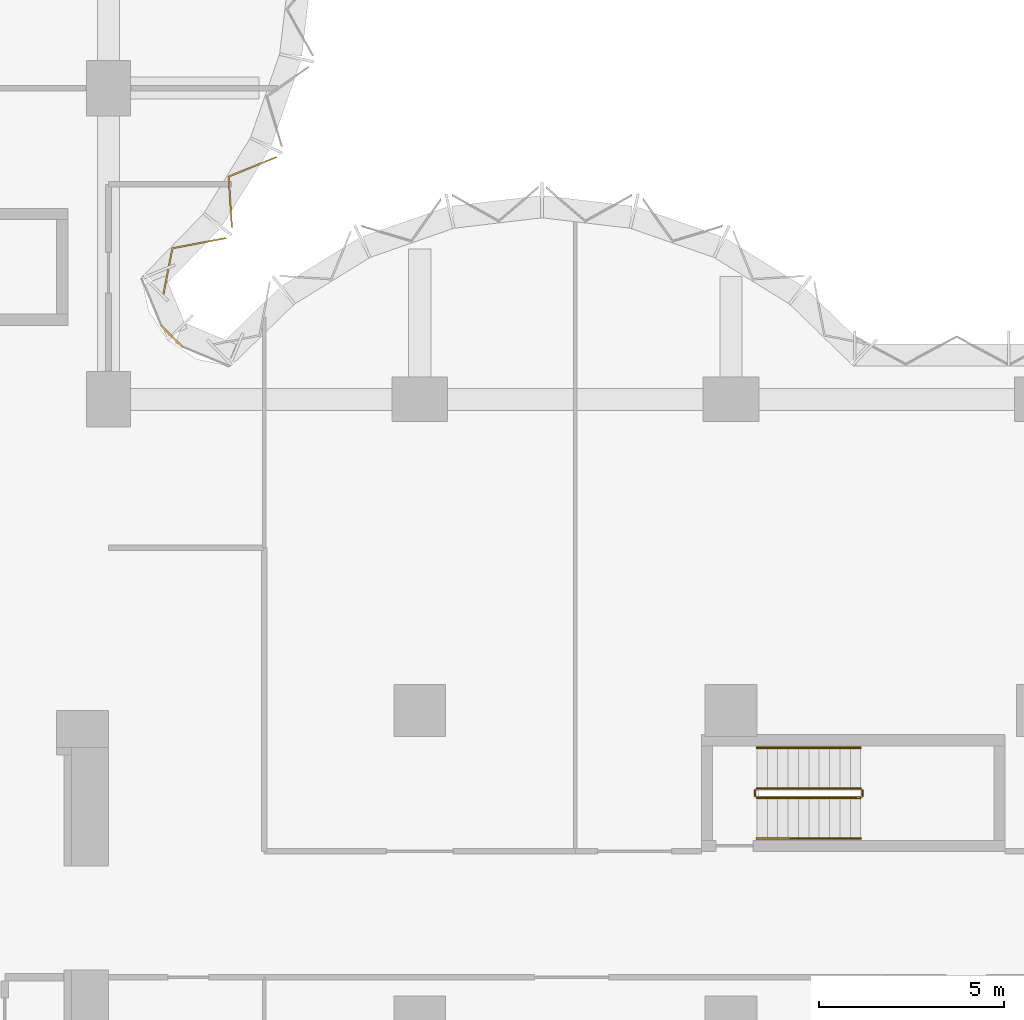
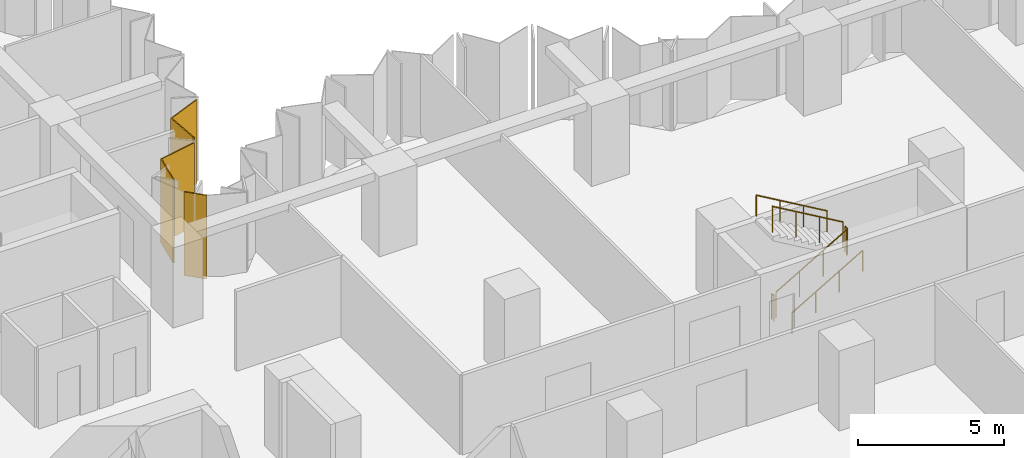
# One storey, part 14 of 15: 6 railings, 3 coverings, 2 elements without a shape of their own.
"""IFC4 building model written with IfcOpenShell, lengths in metres."""

from ifc_helpers import new_model, si_unit, direction, frame, origin, origin_2d, place, context, subcontext, project, spatial, polyline, circle, outline, extrude, material, layer, layer_set, type_object, element, aggregate, save


model = new_model("IFC4")

# Units and contexts
model_context = context("Model", 3, precision=1e-05, world=origin(), true_north=direction((0.0, 1.0)))
body_context = subcontext(model_context, "Body", "Model", "MODEL_VIEW")
ifc_project = project(units=[si_unit("LENGTHUNIT", "METRE"), si_unit("AREAUNIT", "SQUARE_METRE"), si_unit("VOLUMEUNIT", "CUBIC_METRE"), si_unit("PLANEANGLEUNIT", "RADIAN"), si_unit("MASSUNIT", "GRAM", prefix="KILO")], contexts=[model_context])

# Site, building, storey
site_placement = place(None, origin())
site = spatial("IfcSite", under=ifc_project, at=site_placement, CompositionType="ELEMENT")
building_placement = place(site_placement, origin())
building = spatial("IfcBuilding", under=site, at=building_placement, Name="Brevane Broadcast Tower", CompositionType="ELEMENT")
storey_placement = place(building_placement, frame((0.0, 0.0, 79.699951171875)))
storey = spatial("IfcBuildingStorey", under=building, at=storey_placement, Name="L18", CompositionType="ELEMENT", Elevation=79.699951171875)

# Railings
ifc_material_1 = material(Name="Steel S355", Category="steel")
railing_type_1 = type_object("IfcRailingType", Name="Exit stair guard", PredefinedType="GUARDRAIL", material=ifc_material_1)
railing_1_placement = place(storey_placement, frame((42.699951171875, 14.449951171875, 0.16357421875)))
element("IfcRailing", 1, at=railing_1_placement, inside=storey, type_object=railing_type_1, Name="L18 ST-4 stair guard 1", PredefinedType="GUARDRAIL", context=body_context, shape_type="SweptSolid", body=[
    extrude(circle(Radius=0.02392578125, at=origin_2d()), frame((0.0, 0.0, 1.076171875), z_axis=(0.863360870873, 0.0, 0.504586966384), x_axis=(0.0, 1.0, 0.0)), (0.0, 0.0, 1.0), 3.2431640625),
    extrude(circle(Radius=0.02099609375, at=origin_2d()), origin(), (0.0, 0.0, 1.0), 1.052001953125),
    extrude(circle(Radius=0.02099609375, at=origin_2d()), frame((0.933349609375, 0.0, 0.54541015625)), (0.0, 0.0, 1.0), 1.052001953125),
    extrude(circle(Radius=0.02099609375, at=origin_2d()), frame((1.86669921875, 0.0, 1.091064453125)), (0.0, 0.0, 1.0), 1.052001953125),
    extrude(circle(Radius=0.02099609375, at=origin_2d()), frame((2.800048828125, 0.0, 1.636474609375)), (0.0, 0.0, 1.0), 1.052001953125),
])
railing_2_placement = place(storey_placement, frame((45.550048828125, 14.5, 1.800048828125)))
element("IfcRailing", 2, at=railing_2_placement, inside=storey, type_object=railing_type_1, Name="L18 ST-4 stair guard 2", PredefinedType="GUARDRAIL", context=body_context, shape_type="SweptSolid", body=[
    extrude(circle(Radius=0.02392578125, at=origin_2d()), frame((0.0, 0.0, 1.076171875), z_axis=(0.0, 1.0, 0.0), x_axis=(-1.0, 0.0, 0.0)), (0.0, 0.0, 1.0), 0.14990234375),
    extrude(circle(Radius=0.02099609375, at=origin_2d()), origin(), (0.0, 0.0, 1.0), 1.052001953125),
    extrude(circle(Radius=0.02099609375, at=origin_2d()), frame((0.0, 0.14990234375, 0.0)), (0.0, 0.0, 1.0), 1.052001953125),
])
railing_3_placement = place(storey_placement, frame((45.5, 14.699951171875, 1.963623046875)))
element("IfcRailing", 3, at=railing_3_placement, inside=storey, type_object=railing_type_1, Name="L18 ST-4 stair guard 3", PredefinedType="GUARDRAIL", context=body_context, shape_type="SweptSolid", body=[
    extrude(circle(Radius=0.02392578125, at=origin_2d()), frame((0.0, 0.0, 1.076171875), z_axis=(-0.863360870873, 0.0, 0.504586966384), x_axis=(0.0, -1.0, 0.0)), (0.0, 0.0, 1.0), 3.2431640625),
    extrude(circle(Radius=0.02099609375, at=origin_2d()), origin(), (0.0, 0.0, 1.0), 1.052001953125),
    extrude(circle(Radius=0.02099609375, at=origin_2d()), frame((-0.933349609375, 0.0, 0.54541015625)), (0.0, 0.0, 1.0), 1.052001953125),
    extrude(circle(Radius=0.02099609375, at=origin_2d()), frame((-1.86669921875, 0.0, 1.091064453125)), (0.0, 0.0, 1.0), 1.052001953125),
    extrude(circle(Radius=0.02099609375, at=origin_2d()), frame((-2.800048828125, 0.0, 1.636474609375)), (0.0, 0.0, 1.0), 1.052001953125),
])
railing_4_placement = place(storey_placement, frame((42.64990234375, 14.5, 0.0)))
element("IfcRailing", 4, at=railing_4_placement, inside=storey, type_object=railing_type_1, Name="L18 ST-4 stair guard 4", PredefinedType="GUARDRAIL", context=body_context, shape_type="SweptSolid", body=[
    extrude(circle(Radius=0.02392578125, at=origin_2d()), frame((0.0, 0.0, 1.076171875), z_axis=(0.0, 1.0, 0.0), x_axis=(-1.0, 0.0, 0.0)), (0.0, 0.0, 1.0), 0.14990234375),
    extrude(circle(Radius=0.02099609375, at=origin_2d()), origin(), (0.0, 0.0, 1.0), 1.052001953125),
    extrude(circle(Radius=0.02099609375, at=origin_2d()), frame((0.0, 0.14990234375, 0.0)), (0.0, 0.0, 1.0), 1.052001953125),
])
railing_type_2 = type_object("IfcRailingType", Name="Exit stair handrail", PredefinedType="HANDRAIL", material=ifc_material_1)
railing_5_placement = place(storey_placement, frame((42.699951171875, 13.35009765625, 0.16357421875)))
element("IfcRailing", 5, at=railing_5_placement, inside=storey, type_object=railing_type_2, Name="L18 ST-4 stair handrail 1", PredefinedType="HANDRAIL", context=body_context, shape_type="SweptSolid", body=[
    extrude(circle(Radius=0.02392578125, at=origin_2d()), frame((0.0, 0.0, 0.8759765625), z_axis=(0.863360870873, 0.0, 0.504586966384), x_axis=(0.0, 1.0, 0.0)), (0.0, 0.0, 1.0), 3.2431640625),
    extrude(circle(Radius=0.02099609375, at=origin_2d()), origin(), (0.0, 0.0, 1.0), 0.851806640625),
    extrude(circle(Radius=0.02099609375, at=origin_2d()), frame((0.933349609375, 0.0, 0.54541015625)), (0.0, 0.0, 1.0), 0.851806640625),
    extrude(circle(Radius=0.02099609375, at=origin_2d()), frame((1.86669921875, 0.0, 1.091064453125)), (0.0, 0.0, 1.0), 0.851806640625),
    extrude(circle(Radius=0.02099609375, at=origin_2d()), frame((2.800048828125, 0.0, 1.636474609375)), (0.0, 0.0, 1.0), 0.851806640625),
])
railing_6_placement = place(storey_placement, frame((45.5, 15.800048828125, 1.963623046875)))
element("IfcRailing", 6, at=railing_6_placement, inside=storey, type_object=railing_type_2, Name="L18 ST-4 stair handrail 2", PredefinedType="HANDRAIL", context=body_context, shape_type="SweptSolid", body=[
    extrude(circle(Radius=0.02392578125, at=origin_2d()), frame((0.0, 0.0, 0.8759765625), z_axis=(-0.863360870873, 0.0, 0.504586966384), x_axis=(0.0, -1.0, 0.0)), (0.0, 0.0, 1.0), 3.2431640625),
    extrude(circle(Radius=0.02099609375, at=origin_2d()), origin(), (0.0, 0.0, 1.0), 0.851806640625),
    extrude(circle(Radius=0.02099609375, at=origin_2d()), frame((-0.933349609375, 0.0, 0.54541015625)), (0.0, 0.0, 1.0), 0.851806640625),
    extrude(circle(Radius=0.02099609375, at=origin_2d()), frame((-1.86669921875, 0.0, 1.091064453125)), (0.0, 0.0, 1.0), 0.851806640625),
    extrude(circle(Radius=0.02099609375, at=origin_2d()), frame((-2.800048828125, 0.0, 1.636474609375)), (0.0, 0.0, 1.0), 0.851806640625),
])

# Curtain wall, coverings
ifc_material_2 = material(Name="Aluminium 6063-T6 bronze anodised", Category="aluminium")
curtain_wall_type = type_object("IfcCurtainWallType", Name="CW-1 curtain wall", PredefinedType="NOTDEFINED", material=ifc_material_2)
curtain_wall_1_placement = place(storey_placement, origin())
curtain_wall_1 = element("IfcCurtainWall", 7, at=curtain_wall_1_placement, inside=storey, type_object=curtain_wall_type, Name="CW-1 typical tilted unit L18 north bow", PredefinedType="NOTDEFINED")
ifc_material_3 = material(Name="Back-painted bronze glass shadow-box", Category="glass")
ifc_layer = layer(ifc_material_3, 0.0400390625)
ifc_layer_set = layer_set([ifc_layer], Name="Shadow-box panel 40")
covering_type = type_object("IfcCoveringType", Name="Shadow-box panel 40", PredefinedType="CLADDING", material=ifc_layer_set)
covering_1_placement = place(storey_placement, frame((0.0, 0.0, -0.14990234375)))
covering_1 = element("IfcCovering", 8, at=covering_1_placement, type_object=covering_type, Name="Shadow-box panel", PredefinedType="CLADDING", context=body_context, shape_type="SweptSolid", body=[
    extrude(outline(polyline([(26.656005859375, 28.008544921875), (26.690185546875, 27.975341796875), (26.9423828125, 29.2607421875), (28.3857421875, 29.535888671875), (28.34375, 29.568603515625), (26.908203125, 29.294921875), (26.656005859375, 28.008544921875)])), origin(), (0.0, 0.0, 1.0), 3.5),
])
covering_2_placement = place(storey_placement, frame((0.0, 0.0, -0.14990234375)))
covering_2 = element("IfcCovering", 9, at=covering_2_placement, type_object=covering_type, Name="Shadow-box panel", PredefinedType="CLADDING", context=body_context, shape_type="SweptSolid", body=[
    extrude(outline(polyline([(28.5087890625, 29.849609375), (28.551025390625, 29.816650390625), (28.462890625, 31.198486328125), (29.76171875, 31.729736328125), (29.712890625, 31.753173828125), (28.42138671875, 31.224609375), (28.5087890625, 29.849609375)])), origin(), (0.0, 0.0, 1.0), 3.5),
])
aggregate(curtain_wall_1, [covering_1, covering_2])

# Curtain wall, covering
curtain_wall_2_placement = place(storey_placement, origin())
curtain_wall_2 = element("IfcCurtainWall", 10, at=curtain_wall_2_placement, inside=storey, type_object=curtain_wall_type, Name="CW-1 typical tilted unit L18 inner corner", PredefinedType="NOTDEFINED")
covering_3_placement = place(storey_placement, frame((0.0, 0.0, -0.14990234375)))
covering_3 = element("IfcCovering", 11, at=covering_3_placement, type_object=covering_type, Name="Closure panel", PredefinedType="CLADDING", context=body_context, shape_type="SweptSolid", body=[
    extrude(outline(polyline([(27.17138671875, 26.60498046875), (27.2021484375, 26.635498046875), (26.635498046875, 27.2021484375), (26.60498046875, 27.17138671875), (27.17138671875, 26.60498046875)])), origin(), (0.0, 0.0, 1.0), 3.5),
])
aggregate(curtain_wall_2, [covering_3])

save(model, "model.ifc")
